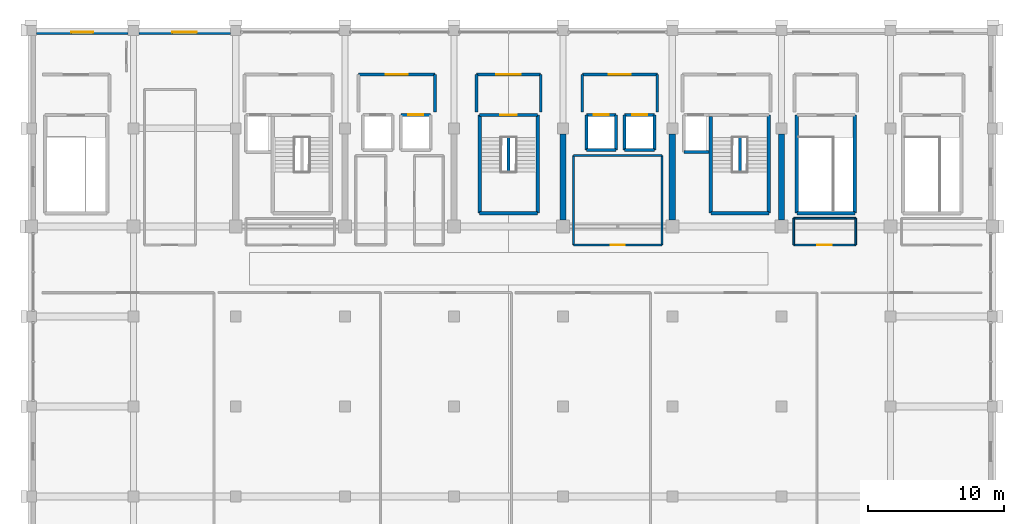
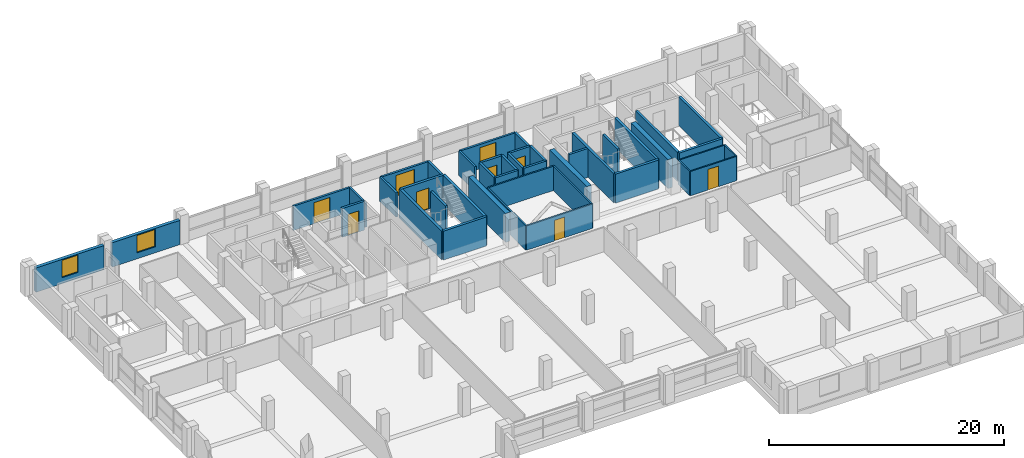
# One storey, part 18 of 21: 43 walls, 9 doors, 2 windows, 11 openings.
"""IFC4 building model written with IfcOpenShell, lengths in metres."""

from ifc_helpers import new_model, si_unit, direction, frame, frame_2d, origin, place, context, subcontext, project, spatial, rectangle, extrude, material, layer, layer_set, type_object, element, fill, save


model = new_model("IFC4")

# Units and contexts
model_context = context("Model", 3, precision=1e-05, world=origin(), true_north=direction((0.0, 1.0)))
body_context = subcontext(model_context, "Body", "Model", "MODEL_VIEW")
ifc_project = project(units=[si_unit("LENGTHUNIT", "METRE"), si_unit("AREAUNIT", "SQUARE_METRE"), si_unit("VOLUMEUNIT", "CUBIC_METRE"), si_unit("PLANEANGLEUNIT", "RADIAN"), si_unit("MASSUNIT", "GRAM", prefix="KILO")], contexts=[model_context])

# Site, building, storey
site_placement = place(None, origin())
site = spatial("IfcSite", under=ifc_project, at=site_placement, CompositionType="ELEMENT")
building_placement = place(site_placement, origin())
building = spatial("IfcBuilding", under=site, at=building_placement, Name="Akrevak Sports Hall", CompositionType="ELEMENT")
storey_placement = place(building_placement, frame((0.0, 0.0, 37.300048828125)))
storey = spatial("IfcBuildingStorey", under=building, at=storey_placement, Name="L08", CompositionType="ELEMENT", Elevation=37.300048828125)

# Wall, opening, window
ifc_material_1 = material(Name="Limestone Ashlar", Category="stone")
ifc_layer_1 = layer(ifc_material_1, 0.070068359375, Name="Limestone Ashlar")
ifc_material_2 = material(Name="Mineral Wool Thermal Insulation", Category="insulation")
ifc_layer_2 = layer(ifc_material_2, 0.090087890625, Name="Mineral Wool Thermal Insulation")
ifc_material_3 = material(Name="Concrete C40/50", Category="concrete")
ifc_layer_3 = layer(ifc_material_3, 0.159912109375, Name="Concrete C40/50")
ifc_layer_set_1 = layer_set([ifc_layer_1, ifc_layer_2, ifc_layer_3], Name="Limestone Ashlar / Mineral Wool Thermal Insulation / Concrete C40/50")
wall_type_1 = type_object("IfcWallType", Name="ARC-WL-EXT-320", PredefinedType="SOLIDWALL", material=ifc_layer_set_1)
wall_1_placement = place(storey_placement, frame((59.60009765625, 69.43994140625, 0.0), z_axis=(0.0, 0.0, 1.0), x_axis=(-1.0, 0.0, 0.0)))
wall_1 = element("IfcWall", 1, at=wall_1_placement, inside=storey, type_object=wall_type_1, Name="Tower Stone Facade Wall L08-N26", PredefinedType="SOLIDWALL", context=body_context, shape_type="SweptSolid", body=[
    extrude(rectangle(XDim=6.7001953125, YDim=0.320068359375, at=frame_2d((3.35009765625, 0.0))), origin(), (0.0, 0.0, 1.0), 2.530029296875),
])
opening_1_placement = place(wall_1_placement, frame((2.449951171875, 0.0, 0.6201171875)))
opening_1 = element("IfcOpeningElement", 2, at=opening_1_placement, cuts=wall_1, Name="Opening WN-54", PredefinedType="OPENING", context=body_context, shape_type="SweptSolid", body=[
    extrude(rectangle(XDim=1.800048828125, YDim=1.81005859375, at=frame_2d((0.89990234375, 0.905029296875))), frame((0.0, 0.171875, 0.0), z_axis=(0.0, -1.0, 0.0), x_axis=(1.0, 0.0, 0.0)), (0.0, 0.0, 1.0), 0.343994140625),
])
ifc_material_4 = material(Name="Thermally Broken Bronze Frame & Double Low-E Glass", Category="glass")
window_type_1 = type_object("IfcWindowType", Name="ARC-WIN-SZ-1800x1810", PartitioningType="SINGLE_PANEL", PredefinedType="WINDOW", material=ifc_material_4)
window_1_placement = place(opening_1_placement, origin())
window_1 = element("IfcWindow", 3, at=window_1_placement, inside=storey, type_object=window_type_1, Name="Tower Window L08-N26", OverallHeight=1.81005859375, OverallWidth=1.800048828125, PartitioningType="SINGLE_PANEL", PredefinedType="WINDOW", context=body_context, shape_type="SweptSolid", body=[
    extrude(rectangle(XDim=1.800048828125, YDim=1.81005859375, at=frame_2d((0.89990234375, 0.905029296875))), frame((0.0, 0.030029296875, 0.0), z_axis=(0.0, -1.0, 0.0), x_axis=(1.0, 0.0, 0.0)), (0.0, 0.0, 1.0), 0.06005859375),
])
fill(opening_1, window_1)

wall_2_placement = place(storey_placement, frame((52.10009765625, 69.43994140625, 0.0), z_axis=(0.0, 0.0, 1.0), x_axis=(-1.0, 0.0, 0.0)))
wall_2 = element("IfcWall", 4, at=wall_2_placement, inside=storey, type_object=wall_type_1, Name="Tower Stone Facade Wall L08-N27", PredefinedType="SOLIDWALL", context=body_context, shape_type="SweptSolid", body=[
    extrude(rectangle(XDim=6.7001953125, YDim=0.320068359375, at=frame_2d((3.35009765625, 0.0))), origin(), (0.0, 0.0, 1.0), 2.530029296875),
])
opening_2_placement = place(wall_2_placement, frame((2.550048828125, 0.0, 0.6201171875)))
opening_2 = element("IfcOpeningElement", 5, at=opening_2_placement, cuts=wall_2, Name="Opening WN-57", PredefinedType="OPENING", context=body_context, shape_type="SweptSolid", body=[
    extrude(rectangle(XDim=1.60009765625, YDim=1.81005859375, at=frame_2d((0.800048828125, 0.905029296875))), frame((0.0, 0.171875, 0.0), z_axis=(0.0, -1.0, 0.0), x_axis=(1.0, 0.0, 0.0)), (0.0, 0.0, 1.0), 0.343994140625),
])
window_type_2 = type_object("IfcWindowType", Name="ARC-WIN-SZ-1600x1810", PartitioningType="SINGLE_PANEL", PredefinedType="WINDOW", material=ifc_material_4)
window_2_placement = place(opening_2_placement, origin())
window_2 = element("IfcWindow", 6, at=window_2_placement, inside=storey, type_object=window_type_2, Name="Tower Window L08-N27", OverallHeight=1.81005859375, OverallWidth=1.60009765625, PartitioningType="SINGLE_PANEL", PredefinedType="WINDOW", context=body_context, shape_type="SweptSolid", body=[
    extrude(rectangle(XDim=1.60009765625, YDim=1.81005859375, at=frame_2d((0.800048828125, 0.905029296875))), frame((0.0, 0.030029296875, 0.0), z_axis=(0.0, -1.0, 0.0), x_axis=(1.0, 0.0, 0.0)), (0.0, 0.0, 1.0), 0.06005859375),
])
fill(opening_2, window_2)

# Wall, opening, door
ifc_material_5 = material(Name="Acoustic Metal Stud Partition", Category="gypsum")
ifc_layer_4 = layer(ifc_material_5, 0.1298828125, Name="Acoustic Metal Stud Partition")
ifc_layer_set_2 = layer_set([ifc_layer_4], Name="Acoustic Metal Stud Partition")
wall_type_2 = type_object("IfcWallType", Name="ARC-WL-PRT-130", PredefinedType="PARTITIONING", material=ifc_layer_set_2)
wall_3_placement = place(storey_placement, frame((100.89990234375, 53.85009765625, 0.0), z_axis=(0.0, 0.0, 1.0), x_axis=(1.0, 0.0, 0.0)))
wall_3 = element("IfcWall", 7, at=wall_3_placement, inside=storey, type_object=wall_type_2, Name="Interior Partition Federation Research Office L08-E1 (S)", PredefinedType="PARTITIONING", context=body_context, shape_type="SweptSolid", body=[
    extrude(rectangle(XDim=4.550048828125, YDim=0.1298828125, at=frame_2d((2.27490234375, 0.0))), origin(), (0.0, 0.0, 1.0), 2.530029296875),
])
opening_3_placement = place(wall_3_placement, frame((1.72509765625, 0.0, 0.0)))
opening_3 = element("IfcOpeningElement", 8, at=opening_3_placement, cuts=wall_3, Name="Opening ID-05", PredefinedType="OPENING", context=body_context, shape_type="SweptSolid", body=[
    extrude(rectangle(XDim=1.050048828125, YDim=2.14990234375, at=frame_2d((0.52490234375, 1.074951171875))), frame((0.0, 0.076904296875, 0.0), z_axis=(0.0, -1.0, 0.0), x_axis=(1.0, 0.0, 0.0)), (0.0, 0.0, 1.0), 0.15380859375),
])
ifc_material_6 = material(Name="Hardwood Oak Acoustic Leaf", Category="wood")
door_type_1 = type_object("IfcDoorType", Name="ARC-DR-OFF-105x215", OperationType="NOTDEFINED", PredefinedType="DOOR", material=ifc_material_6)
door_1_placement = place(opening_3_placement, origin())
door_1 = element("IfcDoor", 9, at=door_1_placement, inside=storey, type_object=door_type_1, Name="Door to Federation Research Office L08-E1", OperationType="SINGLE_SWING_LEFT", OverallHeight=2.14990234375, OverallWidth=1.050048828125, PredefinedType="DOOR", context=body_context, shape_type="SweptSolid", body=[
    extrude(rectangle(XDim=1.050048828125, YDim=2.14990234375, at=frame_2d((0.52490234375, 1.074951171875))), frame((0.0, 0.02490234375, 0.0), z_axis=(0.0, -1.0, 0.0), x_axis=(1.0, 0.0, 0.0)), (0.0, 0.0, 1.0), 0.050048828125),
])
fill(opening_3, door_1)

# Walls
wall_4_placement = place(storey_placement, frame((100.89990234375, 55.800048828125, 0.0), z_axis=(0.0, 0.0, 1.0), x_axis=(1.0, 0.0, 0.0)))
element("IfcWall", 10, at=wall_4_placement, inside=storey, type_object=wall_type_2, Name="Interior Partition Federation Research Office L08-E1 (N)", PredefinedType="PARTITIONING", context=body_context, shape_type="SweptSolid", body=[
    extrude(rectangle(XDim=4.550048828125, YDim=0.1298828125, at=frame_2d((2.27490234375, 0.0))), origin(), (0.0, 0.0, 1.0), 2.530029296875),
])
for number, where, z_axis, x_axis, name in (
    (11, (100.89990234375, 53.85009765625, 0.0), (0.0, 0.0, 1.0), (0.0, 1.0, 0.0), "Interior Partition Federation Research Office L08-E1 (W)"),
    (12, (105.449951171875, 53.85009765625, 0.0), (0.0, 0.0, 1.0), (0.0, 1.0, 0.0), "Interior Partition Federation Research Office L08-E1 (E)"),
):
    element("IfcWall", number, at=place(storey_placement, frame(where, z_axis=z_axis, x_axis=x_axis)), inside=storey, type_object=wall_type_2, Name=name, PredefinedType="PARTITIONING", context=body_context, shape_type="SweptSolid", body=[
        extrude(rectangle(XDim=1.949951171875, YDim=0.1298828125, at=frame_2d((0.97509765625, 0.0))), origin(), (0.0, 0.0, 1.0), 2.530029296875),
    ])

# Wall, opening, door
ifc_material_7 = material(Name="Double Stud Acoustic Gypsum Partition", Category="gypsum")
ifc_layer_5 = layer(ifc_material_7, 0.14990234375, Name="Double Stud Acoustic Gypsum Partition")
ifc_layer_set_3 = layer_set([ifc_layer_5], Name="Double Stud Acoustic Gypsum Partition")
wall_type_3 = type_object("IfcWallType", Name="ARC-WL-PRT-150", PredefinedType="PARTITIONING", material=ifc_layer_set_3)
wall_5_placement = place(storey_placement, frame((84.75, 53.85009765625, 0.0), z_axis=(0.0, 0.0, 1.0), x_axis=(1.0, 0.0, 0.0)))
wall_5 = element("IfcWall", 13, at=wall_5_placement, inside=storey, type_object=wall_type_3, Name="Interior Partition Sports Officiating Office L08-C1 (S)", PredefinedType="PARTITIONING", context=body_context, shape_type="SweptSolid", body=[
    extrude(rectangle(XDim=6.5, YDim=0.14990234375, at=frame_2d((3.25, 0.0))), origin(), (0.0, 0.0, 1.0), 2.530029296875),
])
opening_4_placement = place(wall_5_placement, frame((2.75, 0.0, 0.0)))
opening_4 = element("IfcOpeningElement", 14, at=opening_4_placement, cuts=wall_5, Name="Opening ID-06", PredefinedType="OPENING", context=body_context, shape_type="SweptSolid", body=[
    extrude(rectangle(XDim=1.0, YDim=2.14990234375, at=frame_2d((0.5, 1.074951171875))), frame((0.0, 0.0869140625, 0.0), z_axis=(0.0, -1.0, 0.0), x_axis=(1.0, 0.0, 0.0)), (0.0, 0.0, 1.0), 0.173828125),
])
door_type_2 = type_object("IfcDoorType", Name="ARC-DR-OFF-100x215", OperationType="NOTDEFINED", PredefinedType="DOOR", material=ifc_material_6)
door_2_placement = place(opening_4_placement, frame((1.0, 0.0, 0.0), z_axis=(0.0, 0.0, 1.0), x_axis=(-1.0, 0.0, 0.0)))
door_2 = element("IfcDoor", 15, at=door_2_placement, inside=storey, type_object=door_type_2, Name="Door to Sports Officiating Office L08-C1", OperationType="SINGLE_SWING_RIGHT", OverallHeight=2.14990234375, OverallWidth=1.0, PredefinedType="DOOR", context=body_context, shape_type="SweptSolid", body=[
    extrude(rectangle(XDim=1.0, YDim=2.14990234375, at=frame_2d((0.5, 1.074951171875))), frame((0.0, 0.02490234375, 0.0), z_axis=(0.0, -1.0, 0.0), x_axis=(1.0, 0.0, 0.0)), (0.0, 0.0, 1.0), 0.050048828125),
])
fill(opening_4, door_2)

# Walls
wall_6_placement = place(storey_placement, frame((84.75, 60.39990234375, 0.0), z_axis=(0.0, 0.0, 1.0), x_axis=(1.0, 0.0, 0.0)))
element("IfcWall", 16, at=wall_6_placement, inside=storey, type_object=wall_type_3, Name="Interior Partition Sports Officiating Office L08-C1 (N)", PredefinedType="PARTITIONING", context=body_context, shape_type="SweptSolid", body=[
    extrude(rectangle(XDim=6.5, YDim=0.14990234375, at=frame_2d((3.25, 0.0))), origin(), (0.0, 0.0, 1.0), 2.530029296875),
])
for number, where, z_axis, x_axis, name in (
    (17, (84.75, 53.85009765625, 0.0), (0.0, 0.0, 1.0), (0.0, 1.0, 0.0), "Interior Partition Sports Officiating Office L08-C1 (W)"),
    (18, (91.25, 53.85009765625, 0.0), (0.0, 0.0, 1.0), (0.0, 1.0, 0.0), "Interior Partition Sports Officiating Office L08-C1 (E)"),
):
    element("IfcWall", number, at=place(storey_placement, frame(where, z_axis=z_axis, x_axis=x_axis)), inside=storey, type_object=wall_type_3, Name=name, PredefinedType="PARTITIONING", context=body_context, shape_type="SweptSolid", body=[
        extrude(rectangle(XDim=6.5498046875, YDim=0.14990234375, at=frame_2d((3.27490234375, 0.0))), origin(), (0.0, 0.0, 1.0), 2.530029296875),
    ])

# Wall, opening, door
ifc_material_8 = material(Name="Autoclaved Aerated Masonry Block", Category="masonry")
ifc_layer_6 = layer(ifc_material_8, 0.199951171875, Name="Autoclaved Aerated Masonry Block")
ifc_layer_set_4 = layer_set([ifc_layer_6], Name="Autoclaved Aerated Masonry Block")
wall_type_4 = type_object("IfcWallType", Name="ARC-WL-PRT-200", PredefinedType="PARTITIONING", material=ifc_layer_set_4)
wall_7_placement = place(storey_placement, frame((69.0, 66.35009765625, 0.0), z_axis=(0.0, 0.0, 1.0), x_axis=(1.0, 0.0, 0.0)))
wall_7 = element("IfcWall", 19, at=wall_7_placement, inside=storey, type_object=wall_type_4, Name="Interior Partition West Passenger Lift Lobby L08 (N)", PredefinedType="PARTITIONING", context=body_context, shape_type="SweptSolid", body=[
    extrude(rectangle(XDim=5.60009765625, YDim=0.199951171875, at=frame_2d((2.800048828125, 0.0))), origin(), (0.0, 0.0, 1.0), 2.530029296875),
])
opening_5_placement = place(wall_7_placement, frame((2.0, 0.0, 0.0)))
opening_5 = element("IfcOpeningElement", 20, at=opening_5_placement, cuts=wall_7, Name="Opening ID-03", PredefinedType="OPENING", context=body_context, shape_type="SweptSolid", body=[
    extrude(rectangle(XDim=1.60009765625, YDim=2.199951171875, at=frame_2d((0.800048828125, 1.10009765625))), frame((0.0, 0.11181640625, 0.0), z_axis=(0.0, -1.0, 0.0), x_axis=(1.0, 0.0, 0.0)), (0.0, 0.0, 1.0), 0.223876953125),
])
ifc_material_9 = material(Name="Hardwood Oak & Safety Glass", Category="wood")
door_type_3 = type_object("IfcDoorType", Name="ARC-DR-HALL-160x220", OperationType="DOUBLE_DOOR_SINGLE_SWING", PredefinedType="DOOR", material=ifc_material_9)
door_3_placement = place(opening_5_placement, origin())
door_3 = element("IfcDoor", 21, at=door_3_placement, inside=storey, type_object=door_type_3, Name="Door to West Passenger Lift Lobby L08", OperationType="DOUBLE_DOOR_SINGLE_SWING", OverallHeight=2.199951171875, OverallWidth=1.60009765625, PredefinedType="DOOR", context=body_context, shape_type="SweptSolid", body=[
    extrude(rectangle(XDim=1.60009765625, YDim=2.199951171875, at=frame_2d((0.800048828125, 1.10009765625))), frame((0.0, 0.02490234375, 0.0), z_axis=(0.0, -1.0, 0.0), x_axis=(1.0, 0.0, 0.0)), (0.0, 0.0, 1.0), 0.050048828125),
])
fill(opening_5, door_3)

# Wall
wall_8_placement = place(storey_placement, frame((74.60009765625, 63.60009765625, 0.0), z_axis=(0.0, 0.0, 1.0), x_axis=(0.0, 1.0, 0.0)))
element("IfcWall", 22, at=wall_8_placement, inside=storey, type_object=wall_type_4, Name="Interior Partition West Passenger Lift Lobby L08 (E)", PredefinedType="PARTITIONING", context=body_context, shape_type="SweptSolid", body=[
    extrude(rectangle(XDim=2.75, YDim=0.199951171875, at=frame_2d((1.375, 0.0))), origin(), (0.0, 0.0, 1.0), 2.530029296875),
])

# Wall, opening, door
wall_9_placement = place(storey_placement, frame((85.39990234375, 66.35009765625, 0.0), z_axis=(0.0, 0.0, 1.0), x_axis=(1.0, 0.0, 0.0)))
wall_9 = element("IfcWall", 23, at=wall_9_placement, inside=storey, type_object=wall_type_4, Name="Interior Partition East Passenger Lift Lobby L08 (N)", PredefinedType="PARTITIONING", context=body_context, shape_type="SweptSolid", body=[
    extrude(rectangle(XDim=5.5, YDim=0.199951171875, at=frame_2d((2.75, 0.0))), origin(), (0.0, 0.0, 1.0), 2.530029296875),
])
opening_6_placement = place(wall_9_placement, frame((1.949951171875, 0.0, 0.0)))
opening_6 = element("IfcOpeningElement", 24, at=opening_6_placement, cuts=wall_9, Name="Opening ID-03", PredefinedType="OPENING", context=body_context, shape_type="SweptSolid", body=[
    extrude(rectangle(XDim=1.60009765625, YDim=2.199951171875, at=frame_2d((0.800048828125, 1.10009765625))), frame((0.0, 0.11181640625, 0.0), z_axis=(0.0, -1.0, 0.0), x_axis=(1.0, 0.0, 0.0)), (0.0, 0.0, 1.0), 0.223876953125),
])
door_4_placement = place(opening_6_placement, origin())
door_4 = element("IfcDoor", 25, at=door_4_placement, inside=storey, type_object=door_type_3, Name="Door to East Passenger Lift Lobby L08", OperationType="DOUBLE_DOOR_SINGLE_SWING", OverallHeight=2.199951171875, OverallWidth=1.60009765625, PredefinedType="DOOR", context=body_context, shape_type="SweptSolid", body=[
    extrude(rectangle(XDim=1.60009765625, YDim=2.199951171875, at=frame_2d((0.800048828125, 1.10009765625))), frame((0.0, 0.02490234375, 0.0), z_axis=(0.0, -1.0, 0.0), x_axis=(1.0, 0.0, 0.0)), (0.0, 0.0, 1.0), 0.050048828125),
])
fill(opening_6, door_4)

# Walls
for number, where, z_axis, x_axis, name in (
    (26, (85.39990234375, 63.60009765625, 0.0), (0.0, 0.0, 1.0), (0.0, 1.0, 0.0), "Interior Partition East Passenger Lift Lobby L08 (W)"),
    (27, (90.89990234375, 63.60009765625, 0.0), (0.0, 0.0, 1.0), (0.0, 1.0, 0.0), "Interior Partition East Passenger Lift Lobby L08 (E)"),
):
    element("IfcWall", number, at=place(storey_placement, frame(where, z_axis=z_axis, x_axis=x_axis)), inside=storey, type_object=wall_type_4, Name=name, PredefinedType="PARTITIONING", context=body_context, shape_type="SweptSolid", body=[
        extrude(rectangle(XDim=2.75, YDim=0.199951171875, at=frame_2d((1.375, 0.0))), origin(), (0.0, 0.0, 1.0), 2.530029296875),
    ])

# Wall, opening, door
wall_10_placement = place(storey_placement, frame((77.64990234375, 66.35009765625, 0.0), z_axis=(0.0, 0.0, 1.0), x_axis=(1.0, 0.0, 0.0)))
wall_10 = element("IfcWall", 28, at=wall_10_placement, inside=storey, type_object=wall_type_4, Name="Interior Partition Central Stair ST3 Vestibule L08 (N)", PredefinedType="PARTITIONING", context=body_context, shape_type="SweptSolid", body=[
    extrude(rectangle(XDim=4.7001953125, YDim=0.199951171875, at=frame_2d((2.35009765625, 0.0))), origin(), (0.0, 0.0, 1.0), 2.530029296875),
])
opening_7_placement = place(wall_10_placement, frame((1.449951171875, 0.0, 0.0)))
opening_7 = element("IfcOpeningElement", 29, at=opening_7_placement, cuts=wall_10, Name="Opening FD-02", PredefinedType="OPENING", context=body_context, shape_type="SweptSolid", body=[
    extrude(rectangle(XDim=1.800048828125, YDim=2.199951171875, at=frame_2d((0.89990234375, 1.10009765625))), frame((0.0, 0.11181640625, 0.0), z_axis=(0.0, -1.0, 0.0), x_axis=(1.0, 0.0, 0.0)), (0.0, 0.0, 1.0), 0.223876953125),
])
ifc_material_10 = material(Name="Fire-Rated Galvanized Door Steel", Category="steel")
door_type_4 = type_object("IfcDoorType", Name="ARC-DR-FIRE-180x220", OperationType="DOUBLE_DOOR_SINGLE_SWING", PredefinedType="DOOR", material=ifc_material_10)
door_5_placement = place(opening_7_placement, frame((1.800048828125, 0.0, 0.0), z_axis=(0.0, 0.0, 1.0), x_axis=(-1.0, 0.0, 0.0)))
door_5 = element("IfcDoor", 30, at=door_5_placement, inside=storey, type_object=door_type_4, Name="Door to Central Stair ST3 Vestibule L08", OperationType="DOUBLE_DOOR_SINGLE_SWING", OverallHeight=2.199951171875, OverallWidth=1.800048828125, PredefinedType="DOOR", context=body_context, shape_type="SweptSolid", body=[
    extrude(rectangle(XDim=1.800048828125, YDim=2.199951171875, at=frame_2d((0.89990234375, 1.10009765625))), frame((0.0, 0.02490234375, 0.0), z_axis=(0.0, -1.0, 0.0), x_axis=(1.0, 0.0, 0.0)), (0.0, 0.0, 1.0), 0.050048828125),
])
fill(opening_7, door_5)

# Walls
for number, where, z_axis, x_axis, name in (
    (31, (77.64990234375, 63.60009765625, 0.0), (0.0, 0.0, 1.0), (0.0, 1.0, 0.0), "Interior Partition Central Stair ST3 Vestibule L08 (W)"),
    (32, (82.35009765625, 63.60009765625, 0.0), (0.0, 0.0, 1.0), (0.0, 1.0, 0.0), "Interior Partition Central Stair ST3 Vestibule L08 (E)"),
):
    element("IfcWall", number, at=place(storey_placement, frame(where, z_axis=z_axis, x_axis=x_axis)), inside=storey, type_object=wall_type_4, Name=name, PredefinedType="PARTITIONING", context=body_context, shape_type="SweptSolid", body=[
        extrude(rectangle(XDim=2.75, YDim=0.199951171875, at=frame_2d((1.375, 0.0))), origin(), (0.0, 0.0, 1.0), 2.530029296875),
    ])
ifc_layer_7 = layer(ifc_material_3, 0.219970703125, Name="Concrete C40/50")
ifc_layer_set_5 = layer_set([ifc_layer_7], Name="Concrete C40/50")
wall_type_5 = type_object("IfcWallType", Name="ARC-WL-PRT-220", PredefinedType="PARTITIONING", material=ifc_layer_set_5)
for number, where, z_axis, x_axis, name in (
    (33, (96.949951171875, 59.215087890625, 0.0), (0.0, 0.0, 1.0), (0.0, 1.0, 0.0), "Stair ST2 Central Spine Wall (L08)"),
    (34, (80.0, 59.215087890625, 0.0), (0.0, 0.0, 1.0), (0.0, 1.0, 0.0), "Stair ST3 Central Spine Wall (L08)"),
):
    element("IfcWall", number, at=place(storey_placement, frame(where, z_axis=z_axis, x_axis=x_axis)), inside=storey, type_object=wall_type_5, Name=name, PredefinedType="PARTITIONING", context=body_context, shape_type="SweptSolid", body=[
        extrude(rectangle(XDim=2.52001953125, YDim=0.219970703125, at=frame_2d((1.260009765625, 0.0))), origin(), (0.0, 0.0, 1.0), 3.010009765625),
    ])
ifc_material_11 = material(Name="Concrete C50/60", Category="concrete")
ifc_layer_8 = layer(ifc_material_11, 0.219970703125, Name="Concrete C50/60")
ifc_layer_set_6 = layer_set([ifc_layer_8], Name="Concrete C50/60")
wall_type_6 = type_object("IfcWallType", Name="ARC-WL-SHAFT-220", PredefinedType="SHEAR", material=ifc_layer_set_6)
wall_11_placement = place(storey_placement, frame((92.860107421875, 60.659912109375, 0.0), z_axis=(0.0, 0.0, 1.0), x_axis=(1.0, 0.0, 0.0)))
element("IfcWall", 35, at=wall_11_placement, inside=storey, type_object=wall_type_6, Name="Lift Shaft LF-FF2 Wall S (L08)", PredefinedType="SHEAR", context=body_context, shape_type="SweptSolid", body=[
    extrude(rectangle(XDim=1.83984375, YDim=0.219970703125, at=frame_2d((0.919921875, 0.0))), origin(), (0.0, 0.0, 1.0), 3.010009765625),
])

# Wall, opening, door
wall_12_placement = place(storey_placement, frame((74.2900390625, 63.389892578125, 0.0), z_axis=(0.0, 0.0, 1.0), x_axis=(-1.0, 0.0, 0.0)))
wall_12 = element("IfcWall", 36, at=wall_12_placement, inside=storey, type_object=wall_type_6, Name="Lift Shaft LF-P2 Wall N (L08)", PredefinedType="SHEAR", context=body_context, shape_type="SweptSolid", body=[
    extrude(rectangle(XDim=2.179931640625, YDim=0.219970703125, at=frame_2d((1.08984375, 0.0))), origin(), (0.0, 0.0, 1.0), 3.010009765625),
])
opening_8_placement = place(wall_12_placement, frame((0.5400390625, 0.0, 0.0)))
opening_8 = element("IfcOpeningElement", 37, at=opening_8_placement, cuts=wall_12, Name="Opening LD-01", PredefinedType="OPENING", context=body_context, shape_type="SweptSolid", body=[
    extrude(rectangle(XDim=1.10009765625, YDim=2.199951171875, at=frame_2d((0.550048828125, 1.10009765625))), frame((0.0, 0.1220703125, 0.0), z_axis=(0.0, -1.0, 0.0), x_axis=(1.0, 0.0, 0.0)), (0.0, 0.0, 1.0), 0.243896484375),
])
ifc_material_12 = material(Name="Brushed Stainless Steel 304", Category="steel")
door_type_5 = type_object("IfcDoorType", Name="ARC-DR-LD-110x220", OperationType="SLIDING_TO_LEFT", PredefinedType="DOOR", material=ifc_material_12)
door_6_placement = place(opening_8_placement, origin())
door_6 = element("IfcDoor", 38, at=door_6_placement, inside=storey, type_object=door_type_5, Name="Lift LF-P2 Sliding Landing Door (L08)", OperationType="SLIDING_TO_LEFT", OverallHeight=2.199951171875, OverallWidth=1.10009765625, PredefinedType="DOOR", context=body_context, shape_type="SweptSolid", body=[
    extrude(rectangle(XDim=1.10009765625, YDim=2.199951171875, at=frame_2d((0.550048828125, 1.10009765625))), frame((0.0, 0.02490234375, 0.0), z_axis=(0.0, -1.0, 0.0), x_axis=(1.0, 0.0, 0.0)), (0.0, 0.0, 1.0), 0.050048828125),
])
fill(opening_8, door_6)

# Wall
wall_13_placement = place(storey_placement, frame((85.7099609375, 60.81005859375, 0.0), z_axis=(0.0, 0.0, 1.0), x_axis=(1.0, 0.0, 0.0)))
element("IfcWall", 39, at=wall_13_placement, inside=storey, type_object=wall_type_6, Name="Lift Shaft LF-P3 Wall S (L08)", PredefinedType="SHEAR", context=body_context, shape_type="SweptSolid", body=[
    extrude(rectangle(XDim=2.179931640625, YDim=0.219970703125, at=frame_2d((1.08984375, 0.0))), origin(), (0.0, 0.0, 1.0), 3.010009765625),
])

# Wall, opening, door
wall_14_placement = place(storey_placement, frame((87.889892578125, 63.389892578125, 0.0), z_axis=(0.0, 0.0, 1.0), x_axis=(-1.0, 0.0, 0.0)))
wall_14 = element("IfcWall", 40, at=wall_14_placement, inside=storey, type_object=wall_type_6, Name="Lift Shaft LF-P3 Wall N (L08)", PredefinedType="SHEAR", context=body_context, shape_type="SweptSolid", body=[
    extrude(rectangle(XDim=2.179931640625, YDim=0.219970703125, at=frame_2d((1.08984375, 0.0))), origin(), (0.0, 0.0, 1.0), 3.010009765625),
])
opening_9_placement = place(wall_14_placement, frame((0.5400390625, 0.0, 0.0)))
opening_9 = element("IfcOpeningElement", 41, at=opening_9_placement, cuts=wall_14, Name="Opening LD-01", PredefinedType="OPENING", context=body_context, shape_type="SweptSolid", body=[
    extrude(rectangle(XDim=1.10009765625, YDim=2.199951171875, at=frame_2d((0.550048828125, 1.10009765625))), frame((0.0, 0.1220703125, 0.0), z_axis=(0.0, -1.0, 0.0), x_axis=(1.0, 0.0, 0.0)), (0.0, 0.0, 1.0), 0.243896484375),
])
door_7_placement = place(opening_9_placement, origin())
door_7 = element("IfcDoor", 42, at=door_7_placement, inside=storey, type_object=door_type_5, Name="Lift LF-P3 Sliding Landing Door (L08)", OperationType="SLIDING_TO_LEFT", OverallHeight=2.199951171875, OverallWidth=1.10009765625, PredefinedType="DOOR", context=body_context, shape_type="SweptSolid", body=[
    extrude(rectangle(XDim=1.10009765625, YDim=2.199951171875, at=frame_2d((0.550048828125, 1.10009765625))), frame((0.0, 0.02490234375, 0.0), z_axis=(0.0, -1.0, 0.0), x_axis=(1.0, 0.0, 0.0)), (0.0, 0.0, 1.0), 0.050048828125),
])
fill(opening_9, door_7)

# Walls
for number, where, z_axis, x_axis, name in (
    (43, (85.7099609375, 63.389892578125, 0.0), (0.0, 0.0, 1.0), (0.0, -1.0, 0.0), "Lift Shaft LF-P3 Wall W (L08)"),
    (44, (87.889892578125, 60.81005859375, 0.0), (0.0, 0.0, 1.0), (0.0, 1.0, 0.0), "Lift Shaft LF-P3 Wall E (L08)"),
):
    element("IfcWall", number, at=place(storey_placement, frame(where, z_axis=z_axis, x_axis=x_axis)), inside=storey, type_object=wall_type_6, Name=name, PredefinedType="SHEAR", context=body_context, shape_type="SweptSolid", body=[
        extrude(rectangle(XDim=2.579833984375, YDim=0.219970703125, at=frame_2d((1.2900390625, 0.0))), origin(), (0.0, 0.0, 1.0), 3.010009765625),
    ])
wall_15_placement = place(storey_placement, frame((88.510009765625, 60.81005859375, 0.0), z_axis=(0.0, 0.0, 1.0), x_axis=(1.0, 0.0, 0.0)))
element("IfcWall", 45, at=wall_15_placement, inside=storey, type_object=wall_type_6, Name="Lift Shaft LF-P4 Wall S (L08)", PredefinedType="SHEAR", context=body_context, shape_type="SweptSolid", body=[
    extrude(rectangle(XDim=2.179931640625, YDim=0.219970703125, at=frame_2d((1.08984375, 0.0))), origin(), (0.0, 0.0, 1.0), 3.010009765625),
])

# Wall, opening, door
wall_16_placement = place(storey_placement, frame((90.68994140625, 63.389892578125, 0.0), z_axis=(0.0, 0.0, 1.0), x_axis=(-1.0, 0.0, 0.0)))
wall_16 = element("IfcWall", 46, at=wall_16_placement, inside=storey, type_object=wall_type_6, Name="Lift Shaft LF-P4 Wall N (L08)", PredefinedType="SHEAR", context=body_context, shape_type="SweptSolid", body=[
    extrude(rectangle(XDim=2.179931640625, YDim=0.219970703125, at=frame_2d((1.08984375, 0.0))), origin(), (0.0, 0.0, 1.0), 3.010009765625),
])
opening_10_placement = place(wall_16_placement, frame((0.5400390625, 0.0, 0.0)))
opening_10 = element("IfcOpeningElement", 47, at=opening_10_placement, cuts=wall_16, Name="Opening LD-01", PredefinedType="OPENING", context=body_context, shape_type="SweptSolid", body=[
    extrude(rectangle(XDim=1.10009765625, YDim=2.199951171875, at=frame_2d((0.550048828125, 1.10009765625))), frame((0.0, 0.1220703125, 0.0), z_axis=(0.0, -1.0, 0.0), x_axis=(1.0, 0.0, 0.0)), (0.0, 0.0, 1.0), 0.243896484375),
])
door_8_placement = place(opening_10_placement, origin())
door_8 = element("IfcDoor", 48, at=door_8_placement, inside=storey, type_object=door_type_5, Name="Lift LF-P4 Sliding Landing Door (L08)", OperationType="SLIDING_TO_LEFT", OverallHeight=2.199951171875, OverallWidth=1.10009765625, PredefinedType="DOOR", context=body_context, shape_type="SweptSolid", body=[
    extrude(rectangle(XDim=1.10009765625, YDim=2.199951171875, at=frame_2d((0.550048828125, 1.10009765625))), frame((0.0, 0.02490234375, 0.0), z_axis=(0.0, -1.0, 0.0), x_axis=(1.0, 0.0, 0.0)), (0.0, 0.0, 1.0), 0.050048828125),
])
fill(opening_10, door_8)

# Walls
for number, where, z_axis, x_axis, name in (
    (49, (88.510009765625, 63.389892578125, 0.0), (0.0, 0.0, 1.0), (0.0, -1.0, 0.0), "Lift Shaft LF-P4 Wall W (L08)"),
    (50, (90.68994140625, 60.81005859375, 0.0), (0.0, 0.0, 1.0), (0.0, 1.0, 0.0), "Lift Shaft LF-P4 Wall E (L08)"),
):
    element("IfcWall", number, at=place(storey_placement, frame(where, z_axis=z_axis, x_axis=x_axis)), inside=storey, type_object=wall_type_6, Name=name, PredefinedType="SHEAR", context=body_context, shape_type="SweptSolid", body=[
        extrude(rectangle(XDim=2.579833984375, YDim=0.219970703125, at=frame_2d((1.2900390625, 0.0))), origin(), (0.0, 0.0, 1.0), 3.010009765625),
    ])
ifc_layer_9 = layer(ifc_material_11, 0.449951171875, Name="Concrete C50/60")
ifc_layer_set_7 = layer_set([ifc_layer_9], Name="Concrete C50/60")
wall_type_7 = type_object("IfcWallType", Name="STR-WL-CORE-450", PredefinedType="SHEAR", material=ifc_layer_set_7)
for number, where, z_axis, x_axis, name in (
    (51, (84.0, 55.675048828125, 0.0), (0.0, 0.0, 1.0), (0.0, 1.0, 0.0), "Reinforced Concrete Shear Wall SW-C2 (L08)"),
    (52, (92.0, 55.675048828125, 0.0), (0.0, 0.0, 1.0), (0.0, 1.0, 0.0), "Reinforced Concrete Shear Wall SW-E1 (L08)"),
    (53, (100.0, 55.675048828125, 0.0), (0.0, 0.0, 1.0), (0.0, 1.0, 0.0), "Reinforced Concrete Shear Wall SW-E2 (L08)"),
):
    element("IfcWall", number, at=place(storey_placement, frame(where, z_axis=z_axis, x_axis=x_axis)), inside=storey, type_object=wall_type_7, Name=name, PredefinedType="SHEAR", context=body_context, shape_type="SweptSolid", body=[
        extrude(rectangle(XDim=6.324951171875, YDim=0.449951171875, at=frame_2d((3.16259765625, 0.0))), origin(), (0.0, 0.0, 1.0), 3.010009765625),
    ])
ifc_layer_10 = layer(ifc_material_11, 0.25, Name="Concrete C50/60")
ifc_layer_set_8 = layer_set([ifc_layer_10], Name="Concrete C50/60")
wall_type_8 = type_object("IfcWallType", Name="STR-WL-STAIR-250", PredefinedType="SHEAR", material=ifc_layer_set_8)
wall_17_placement = place(storey_placement, frame((94.824951171875, 56.175048828125, 0.0), z_axis=(0.0, 0.0, 1.0), x_axis=(1.0, 0.0, 0.0)))
element("IfcWall", 54, at=wall_17_placement, inside=storey, type_object=wall_type_8, Name="Stair Core ST2 Shear Wall S (L08)", PredefinedType="SHEAR", context=body_context, shape_type="SweptSolid", body=[
    extrude(rectangle(XDim=4.25, YDim=0.25, at=frame_2d((2.125, 0.0))), origin(), (0.0, 0.0, 1.0), 3.010009765625),
])
wall_18_placement = place(storey_placement, frame((94.824951171875, 63.25, 0.0), z_axis=(0.0, 0.0, 1.0), x_axis=(0.0, -1.0, 0.0)))
element("IfcWall", 55, at=wall_18_placement, inside=storey, type_object=wall_type_8, Name="Stair Core ST2 Shear Wall W (L08)", PredefinedType="SHEAR", context=body_context, shape_type="SweptSolid", body=[
    extrude(rectangle(XDim=7.074951171875, YDim=0.25, at=frame_2d((3.53759765625, 0.0))), origin(), (0.0, 0.0, 1.0), 3.010009765625),
])
wall_19_placement = place(storey_placement, frame((99.074951171875, 56.175048828125, 0.0), z_axis=(0.0, 0.0, 1.0), x_axis=(0.0, 1.0, 0.0)))
element("IfcWall", 56, at=wall_19_placement, inside=storey, type_object=wall_type_8, Name="Stair Core ST2 Shear Wall E (L08)", PredefinedType="SHEAR", context=body_context, shape_type="SweptSolid", body=[
    extrude(rectangle(XDim=7.199951171875, YDim=0.25, at=frame_2d((3.60009765625, 0.0))), origin(), (0.0, 0.0, 1.0), 3.010009765625),
])
wall_20_placement = place(storey_placement, frame((77.875, 56.175048828125, 0.0), z_axis=(0.0, 0.0, 1.0), x_axis=(1.0, 0.0, 0.0)))
element("IfcWall", 57, at=wall_20_placement, inside=storey, type_object=wall_type_8, Name="Stair Core ST3 Shear Wall S (L08)", PredefinedType="SHEAR", context=body_context, shape_type="SweptSolid", body=[
    extrude(rectangle(XDim=4.25, YDim=0.25, at=frame_2d((2.125, 0.0))), origin(), (0.0, 0.0, 1.0), 3.010009765625),
])

# Wall, opening, door
wall_21_placement = place(storey_placement, frame((82.125, 63.375, 0.0), z_axis=(0.0, 0.0, 1.0), x_axis=(-1.0, 0.0, 0.0)))
wall_21 = element("IfcWall", 58, at=wall_21_placement, inside=storey, type_object=wall_type_8, Name="Stair Core ST3 Shear Wall N (L08)", PredefinedType="SHEAR", context=body_context, shape_type="SweptSolid", body=[
    extrude(rectangle(XDim=4.25, YDim=0.25, at=frame_2d((2.125, 0.0))), origin(), (0.0, 0.0, 1.0), 3.010009765625),
])
opening_11_placement = place(wall_21_placement, frame((1.52490234375, 0.0, 0.0)))
opening_11 = element("IfcOpeningElement", 59, at=opening_11_placement, cuts=wall_21, Name="Opening SD-02", PredefinedType="OPENING", context=body_context, shape_type="SweptSolid", body=[
    extrude(rectangle(XDim=1.199951171875, YDim=2.199951171875, at=frame_2d((0.60009765625, 1.10009765625))), frame((0.0, 0.136962890625, 0.0), z_axis=(0.0, -1.0, 0.0), x_axis=(1.0, 0.0, 0.0)), (0.0, 0.0, 1.0), 0.27392578125),
])
door_type_6 = type_object("IfcDoorType", Name="ARC-DR-STAIR-120x220", OperationType="NOTDEFINED", PredefinedType="DOOR", material=ifc_material_10)
door_9_placement = place(opening_11_placement, origin())
door_9 = element("IfcDoor", 60, at=door_9_placement, inside=storey, type_object=door_type_6, Name="Exit Stair ST3 Door (L08)", OperationType="SINGLE_SWING_RIGHT", OverallHeight=2.199951171875, OverallWidth=1.199951171875, PredefinedType="DOOR", context=body_context, shape_type="SweptSolid", body=[
    extrude(rectangle(XDim=1.199951171875, YDim=2.199951171875, at=frame_2d((0.60009765625, 1.10009765625))), frame((0.0, 0.02490234375, 0.0), z_axis=(0.0, -1.0, 0.0), x_axis=(1.0, 0.0, 0.0)), (0.0, 0.0, 1.0), 0.050048828125),
])
fill(opening_11, door_9)

# Walls
for number, where, z_axis, x_axis, name in (
    (61, (77.875, 63.375, 0.0), (0.0, 0.0, 1.0), (0.0, -1.0, 0.0), "Stair Core ST3 Shear Wall W (L08)"),
    (62, (82.125, 56.175048828125, 0.0), (0.0, 0.0, 1.0), (0.0, 1.0, 0.0), "Stair Core ST3 Shear Wall E (L08)"),
):
    element("IfcWall", number, at=place(storey_placement, frame(where, z_axis=z_axis, x_axis=x_axis)), inside=storey, type_object=wall_type_8, Name=name, PredefinedType="SHEAR", context=body_context, shape_type="SweptSolid", body=[
        extrude(rectangle(XDim=7.199951171875, YDim=0.25, at=frame_2d((3.60009765625, 0.0))), origin(), (0.0, 0.0, 1.0), 3.010009765625),
    ])
wall_22_placement = place(storey_placement, frame((101.125, 56.175048828125, 0.0), z_axis=(0.0, 0.0, 1.0), x_axis=(1.0, 0.0, 0.0)))
element("IfcWall", 63, at=wall_22_placement, inside=storey, type_object=wall_type_8, Name="Stair Core ST10 Shear Wall S (L08)", PredefinedType="SHEAR", context=body_context, shape_type="SweptSolid", body=[
    extrude(rectangle(XDim=4.25, YDim=0.25, at=frame_2d((2.125, 0.0))), origin(), (0.0, 0.0, 1.0), 3.010009765625),
])
for number, where, z_axis, x_axis, name in (
    (64, (101.125, 63.375, 0.0), (0.0, 0.0, 1.0), (0.0, -1.0, 0.0), "Stair Core ST10 Shear Wall W (L08)"),
    (65, (105.375, 56.175048828125, 0.0), (0.0, 0.0, 1.0), (0.0, 1.0, 0.0), "Stair Core ST10 Shear Wall E (L08)"),
):
    element("IfcWall", number, at=place(storey_placement, frame(where, z_axis=z_axis, x_axis=x_axis)), inside=storey, type_object=wall_type_8, Name=name, PredefinedType="SHEAR", context=body_context, shape_type="SweptSolid", body=[
        extrude(rectangle(XDim=7.199951171875, YDim=0.25, at=frame_2d((3.60009765625, 0.0))), origin(), (0.0, 0.0, 1.0), 3.010009765625),
    ])

save(model, "model.ifc")
